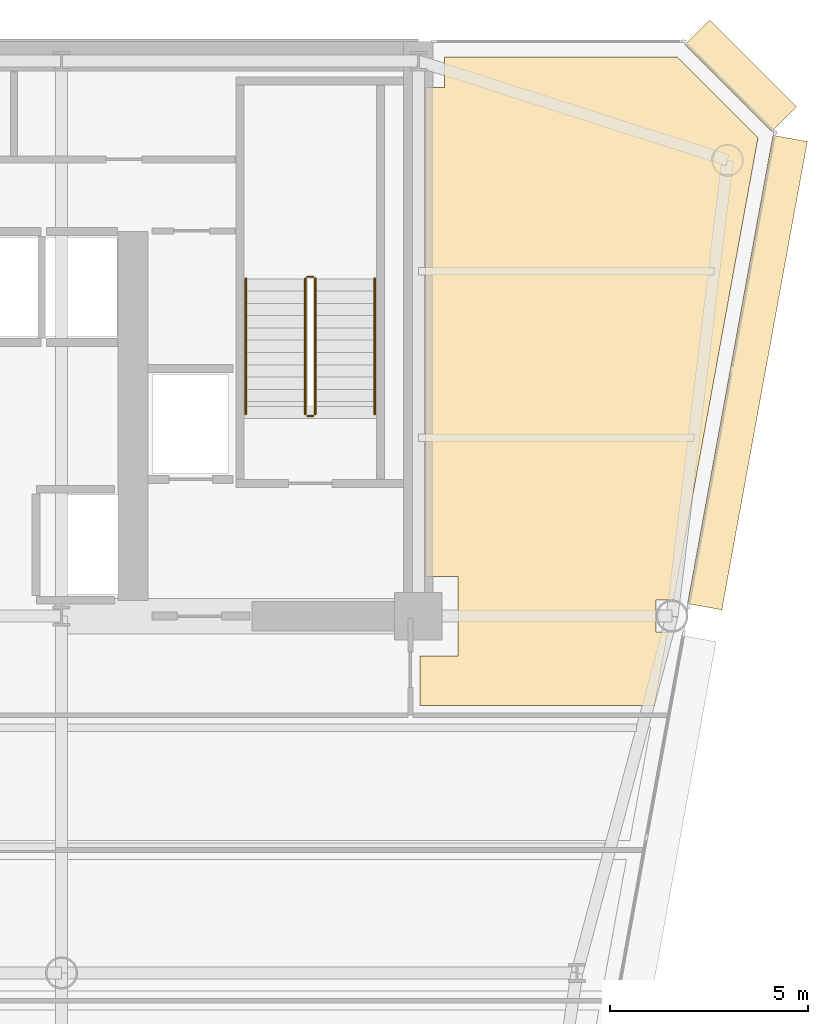
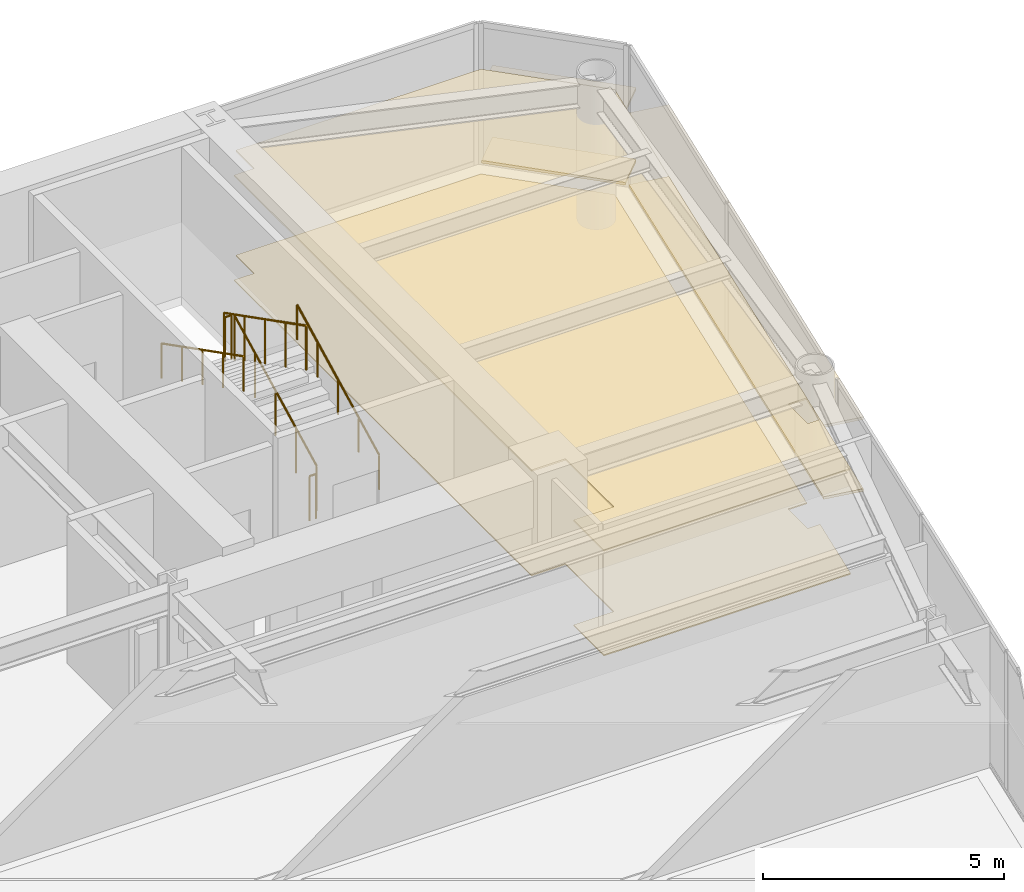
# One storey, part 17 of 17: 6 coverings, 6 railings.
"""IFC4 building model written with IfcOpenShell, lengths in metres."""

from ifc_helpers import new_model, si_unit, direction, frame, origin, origin_2d, place, context, subcontext, project, spatial, polyline, rectangle, circle, outline, extrude, source, transform, mapped, material, layer, layer_set, type_object, element, save


model = new_model("IFC4")

# Units and contexts
model_context = context("Model", 3, precision=1e-05, world=origin(), true_north=direction((0.0, 1.0)))
body_context = subcontext(model_context, "Body", "Model", "MODEL_VIEW")
ifc_project = project(units=[si_unit("LENGTHUNIT", "METRE"), si_unit("AREAUNIT", "SQUARE_METRE"), si_unit("VOLUMEUNIT", "CUBIC_METRE"), si_unit("PLANEANGLEUNIT", "RADIAN"), si_unit("MASSUNIT", "GRAM", prefix="KILO")], contexts=[model_context])

# Site, building, storey
site_placement = place(None, origin())
site = spatial("IfcSite", under=ifc_project, at=site_placement, CompositionType="ELEMENT")
building_placement = place(site_placement, origin())
building = spatial("IfcBuilding", under=site, at=building_placement, Name="Vaeldorn Concourse Tower", CompositionType="ELEMENT")
storey_placement = place(building_placement, frame((0.0, 0.0, 157.60009765625)))
storey = spatial("IfcBuildingStorey", under=building, at=storey_placement, Name="L40", CompositionType="ELEMENT", Elevation=157.60009765625)

# Coverings
ifc_material_1 = material(Name="Acoustic Mineral Fibre Board", Category="gypsum")
ifc_layer_1 = layer(ifc_material_1, 0.0400390625)
ifc_layer_set_1 = layer_set([ifc_layer_1], Name="Acoustic Mineral Fibre Board")
covering_type_1 = type_object("IfcCoveringType", Name="COV-CEIL-ACOUSTIC", PredefinedType="CEILING", material=ifc_layer_set_1)
covering_1_placement = place(storey_placement, frame((0.0, 0.0, 2.64990234375)))
element("IfcCovering", 1, at=covering_1_placement, inside=storey, type_object=covering_type_1, Name="Suspended Acoustic Ceiling L40-5", PredefinedType="CEILING", context=body_context, shape_type="SweptSolid", body=[
    extrude(outline(polyline([(54.179931640625, 49.840087890625), (54.659912109375, 49.840087890625), (54.659912109375, 50.60009765625), (60.5341796875, 50.60009765625), (62.56884765625, 48.5654296875), (60.517578125, 37.320068359375), (60.517578125, 37.320068359375), (60.442138671875, 36.906494140625), (59.993408203125, 36.906494140625), (59.993408203125, 36.093505859375), (60.293701171875, 36.093505859375), (59.955810546875, 34.239990234375), (54.0400390625, 34.239990234375), (54.0400390625, 35.5), (55.0, 35.5), (55.0, 37.5), (54.179931640625, 37.5), (54.179931640625, 49.840087890625)])), origin(), (0.0, 0.0, 1.0), 0.0400390625),
])
ifc_material_2 = material(Name="Honed Limestone Terrazzo Flooring", Category="masonry")
ifc_layer_2 = layer(ifc_material_2, 0.0400390625)
ifc_layer_set_2 = layer_set([ifc_layer_2], Name="Honed Limestone Terrazzo Flooring")
covering_type_2 = type_object("IfcCoveringType", Name="COV-FLOOR-STONE", PredefinedType="FLOORING", material=ifc_layer_set_2)
covering_2_placement = place(storey_placement, origin())
element("IfcCovering", 2, at=covering_2_placement, inside=storey, type_object=covering_type_2, Name="Floor Finish Covering L40-5", PredefinedType="FLOORING", context=body_context, shape_type="SweptSolid", body=[
    extrude(outline(polyline([(54.179931640625, 49.840087890625), (54.659912109375, 49.840087890625), (54.659912109375, 50.60009765625), (60.5341796875, 50.60009765625), (62.56884765625, 48.5654296875), (60.517578125, 37.320068359375), (60.517578125, 37.320068359375), (60.442138671875, 36.906494140625), (59.993408203125, 36.906494140625), (59.993408203125, 36.093505859375), (60.293701171875, 36.093505859375), (59.955810546875, 34.239990234375), (54.0400390625, 34.239990234375), (54.0400390625, 35.5), (55.0, 35.5), (55.0, 37.5), (54.179931640625, 37.5), (54.179931640625, 49.840087890625)])), origin(), (0.0, 0.0, 1.0), 0.02978515625),
])

# Railings
ifc_material_3 = material(Name="Anodised Bronze Aluminium", Category="aluminium")
railing_type_1 = type_object("IfcRailingType", Name="RL-STAIR-GUARD", PredefinedType="GUARDRAIL", material=ifc_material_3)
railing_1_placement = place(storey_placement, frame((51.39990234375, 41.60009765625, 0.158203125)))
element("IfcRailing", 3, at=railing_1_placement, inside=storey, type_object=railing_type_1, Name="L40 ST-2 stair guard 1", PredefinedType="GUARDRAIL", context=body_context, shape_type="SweptSolid", body=[
    extrude(circle(Radius=0.02392578125, at=origin_2d()), frame((0.0, 0.0, 1.1259765625), z_axis=(0.0, 0.890555807335, 0.454873997962), x_axis=(-1.0, 0.0, 0.0)), (0.0, 0.0, 1.0), 3.828857421875),
    extrude(circle(Radius=0.02099609375, at=origin_2d()), origin(), (0.0, 0.0, 1.0), 1.101806640625),
    extrude(circle(Radius=0.02099609375, at=origin_2d()), frame((0.0, 0.8525390625, 0.435546875)), (0.0, 0.0, 1.0), 1.101806640625),
    extrude(circle(Radius=0.02099609375, at=origin_2d()), frame((0.0, 1.705078125, 0.870849609375)), (0.0, 0.0, 1.0), 1.101806640625),
    extrude(circle(Radius=0.02099609375, at=origin_2d()), frame((0.0, 2.557373046875, 1.30615234375)), (0.0, 0.0, 1.0), 1.101806640625),
    extrude(circle(Radius=0.02099609375, at=origin_2d()), frame((0.0, 3.409912109375, 1.74169921875)), (0.0, 0.0, 1.0), 1.101806640625),
])
railing_2_placement = place(storey_placement, frame((51.35009765625, 45.06005859375, 1.89990234375)))
element("IfcRailing", 4, at=railing_2_placement, inside=storey, type_object=railing_type_1, Name="L40 ST-2 stair guard 2", PredefinedType="GUARDRAIL", context=body_context, shape_type="SweptSolid", body=[
    extrude(circle(Radius=0.02392578125, at=origin_2d()), frame((0.0, 0.0, 1.1259765625), z_axis=(-1.0, 0.0, 0.0), x_axis=(0.0, -1.0, 0.0)), (0.0, 0.0, 1.0), 0.150146484375),
    extrude(circle(Radius=0.02099609375, at=origin_2d()), origin(), (0.0, 0.0, 1.0), 1.101806640625),
    extrude(circle(Radius=0.02099609375, at=origin_2d()), frame((-0.150146484375, 0.0, 0.0)), (0.0, 0.0, 1.0), 1.101806640625),
])
railing_3_placement = place(storey_placement, frame((51.14990234375, 45.010009765625, 2.058349609375)))
element("IfcRailing", 5, at=railing_3_placement, inside=storey, type_object=railing_type_1, Name="L40 ST-2 stair guard 3", PredefinedType="GUARDRAIL", context=body_context, shape_type="SweptSolid", body=[
    extrude(circle(Radius=0.02392578125, at=origin_2d()), frame((0.0, 0.0, 1.1259765625), z_axis=(0.0, -0.890581635807, 0.454823427236), x_axis=(1.0, 0.0, 0.0)), (0.0, 0.0, 1.0), 3.828857421875),
    extrude(circle(Radius=0.02099609375, at=origin_2d()), origin(), (0.0, 0.0, 1.0), 1.101806640625),
    extrude(circle(Radius=0.02099609375, at=origin_2d()), frame((0.0, -0.8525390625, 0.435302734375)), (0.0, 0.0, 1.0), 1.101806640625),
    extrude(circle(Radius=0.02099609375, at=origin_2d()), frame((0.0, -1.705078125, 0.87060546875)), (0.0, 0.0, 1.0), 1.101806640625),
    extrude(circle(Radius=0.02099609375, at=origin_2d()), frame((0.0, -2.557373046875, 1.30615234375)), (0.0, 0.0, 1.0), 1.101806640625),
    extrude(circle(Radius=0.02099609375, at=origin_2d()), frame((0.0, -3.409912109375, 1.741455078125)), (0.0, 0.0, 1.0), 1.101806640625),
])
railing_4_placement = place(storey_placement, frame((51.35009765625, 41.550048828125, 0.0)))
element("IfcRailing", 6, at=railing_4_placement, inside=storey, type_object=railing_type_1, Name="L40 ST-2 stair guard 4", PredefinedType="GUARDRAIL", context=body_context, shape_type="SweptSolid", body=[
    extrude(circle(Radius=0.02392578125, at=origin_2d()), frame((0.0, 0.0, 1.1259765625), z_axis=(-1.0, 0.0, 0.0), x_axis=(0.0, -1.0, 0.0)), (0.0, 0.0, 1.0), 0.150146484375),
    extrude(circle(Radius=0.02099609375, at=origin_2d()), origin(), (0.0, 0.0, 1.0), 1.101806640625),
    extrude(circle(Radius=0.02099609375, at=origin_2d()), frame((-0.150146484375, 0.0, 0.0)), (0.0, 0.0, 1.0), 1.101806640625),
])
railing_type_2 = type_object("IfcRailingType", Name="RL-STAIR-HANDRAIL", PredefinedType="HANDRAIL", material=ifc_material_3)
railing_5_placement = place(storey_placement, frame((52.89990234375, 41.60009765625, 0.158203125)))
element("IfcRailing", 7, at=railing_5_placement, inside=storey, type_object=railing_type_2, Name="L40 ST-2 stair handrail 1", PredefinedType="HANDRAIL", context=body_context, shape_type="SweptSolid", body=[
    extrude(circle(Radius=0.02392578125, at=origin_2d()), frame((0.0, 0.0, 0.8759765625), z_axis=(0.0, 0.890555807335, 0.454873997962), x_axis=(-1.0, 0.0, 0.0)), (0.0, 0.0, 1.0), 3.828857421875),
    extrude(circle(Radius=0.02099609375, at=origin_2d()), origin(), (0.0, 0.0, 1.0), 0.851806640625),
    extrude(circle(Radius=0.02099609375, at=origin_2d()), frame((0.0, 0.8525390625, 0.435546875)), (0.0, 0.0, 1.0), 0.851806640625),
    extrude(circle(Radius=0.02099609375, at=origin_2d()), frame((0.0, 1.705078125, 0.870849609375)), (0.0, 0.0, 1.0), 0.851806640625),
    extrude(circle(Radius=0.02099609375, at=origin_2d()), frame((0.0, 2.557373046875, 1.30615234375)), (0.0, 0.0, 1.0), 0.851806640625),
    extrude(circle(Radius=0.02099609375, at=origin_2d()), frame((0.0, 3.409912109375, 1.74169921875)), (0.0, 0.0, 1.0), 0.851806640625),
])
railing_6_placement = place(storey_placement, frame((49.64990234375, 45.010009765625, 2.058349609375)))
element("IfcRailing", 8, at=railing_6_placement, inside=storey, type_object=railing_type_2, Name="L40 ST-2 stair handrail 2", PredefinedType="HANDRAIL", context=body_context, shape_type="SweptSolid", body=[
    extrude(circle(Radius=0.02392578125, at=origin_2d()), frame((0.0, 0.0, 0.8759765625), z_axis=(0.0, -0.890581635807, 0.454823427236), x_axis=(1.0, 0.0, 0.0)), (0.0, 0.0, 1.0), 3.828857421875),
    extrude(circle(Radius=0.02099609375, at=origin_2d()), origin(), (0.0, 0.0, 1.0), 0.851806640625),
    extrude(circle(Radius=0.02099609375, at=origin_2d()), frame((0.0, -0.8525390625, 0.435302734375)), (0.0, 0.0, 1.0), 0.851806640625),
    extrude(circle(Radius=0.02099609375, at=origin_2d()), frame((0.0, -1.705078125, 0.87060546875)), (0.0, 0.0, 1.0), 0.851806640625),
    extrude(circle(Radius=0.02099609375, at=origin_2d()), frame((0.0, -2.557373046875, 1.30615234375)), (0.0, 0.0, 1.0), 0.851806640625),
    extrude(circle(Radius=0.02099609375, at=origin_2d()), frame((0.0, -3.409912109375, 1.741455078125)), (0.0, 0.0, 1.0), 0.851806640625),
])

# Coverings
ifc_layer_3 = layer(ifc_material_3, 0.06494140625)
ifc_layer_set_3 = layer_set([ifc_layer_3], Name="Anodised Bronze Aluminium")
covering_type_3 = type_object("IfcCoveringType", Name="SD-BRONZE-SUNSHADE", PredefinedType="USERDEFINED", material=ifc_layer_set_3)
shared_shape_1 = source(origin(), body_context, "Body", "SweptSolid", [
    extrude(rectangle(XDim=3.0927734375, YDim=0.8798828125, at=origin_2d()), origin(), (0.0, 0.0, 1.0), 0.06494140625),
])
for number, where, z_axis, x_axis, name in (
    (9, (62.1328125, 50.1328125, 0.04736328125), (0.0, 0.0, 1.0), (-0.707106781187, 0.707106781187, 0.0), "Horizontal Bronze Sunshade L40-E08.1.1"),
    (10, (62.1328125, 50.1328125, 1.867431640625), (0.0, 0.0, 1.0), (-0.707106781187, 0.707106781187, 0.0), "Horizontal Bronze Sunshade L40-E08.1.2"),
):
    element("IfcCovering", number, at=place(storey_placement, frame(where, z_axis=z_axis, x_axis=x_axis)), inside=storey, type_object=covering_type_3, Name=name, ObjectType="SUNSHADE", PredefinedType="USERDEFINED", context=body_context, shape_type="MappedRepresentation", body=[
        mapped(shared_shape_1, transform((0.0, 0.0, 0.0), scale=1.0)),
    ])
shared_shape_2 = source(origin(), body_context, "Body", "SweptSolid", [
    extrude(rectangle(XDim=12.0078125, YDim=0.8798828125, at=origin_2d()), origin(), (0.0, 0.0, 1.0), 0.06494140625),
])
for number, where, z_axis, x_axis, name in (
    (11, (62.3017578125, 42.64306640625, 0.04736328125), (0.0, 0.0, 1.0), (0.179454713012, 0.983766235433, 0.0), "Horizontal Bronze Sunshade L40-E07.2.1"),
    (12, (62.3017578125, 42.64306640625, 1.867431640625), (0.0, 0.0, 1.0), (0.179454713012, 0.983766235433, 0.0), "Horizontal Bronze Sunshade L40-E07.2.2"),
):
    element("IfcCovering", number, at=place(storey_placement, frame(where, z_axis=z_axis, x_axis=x_axis)), inside=storey, type_object=covering_type_3, Name=name, ObjectType="SUNSHADE", PredefinedType="USERDEFINED", context=body_context, shape_type="MappedRepresentation", body=[
        mapped(shared_shape_2, transform((0.0, 0.0, 0.0), scale=1.0)),
    ])

save(model, "model.ifc")
